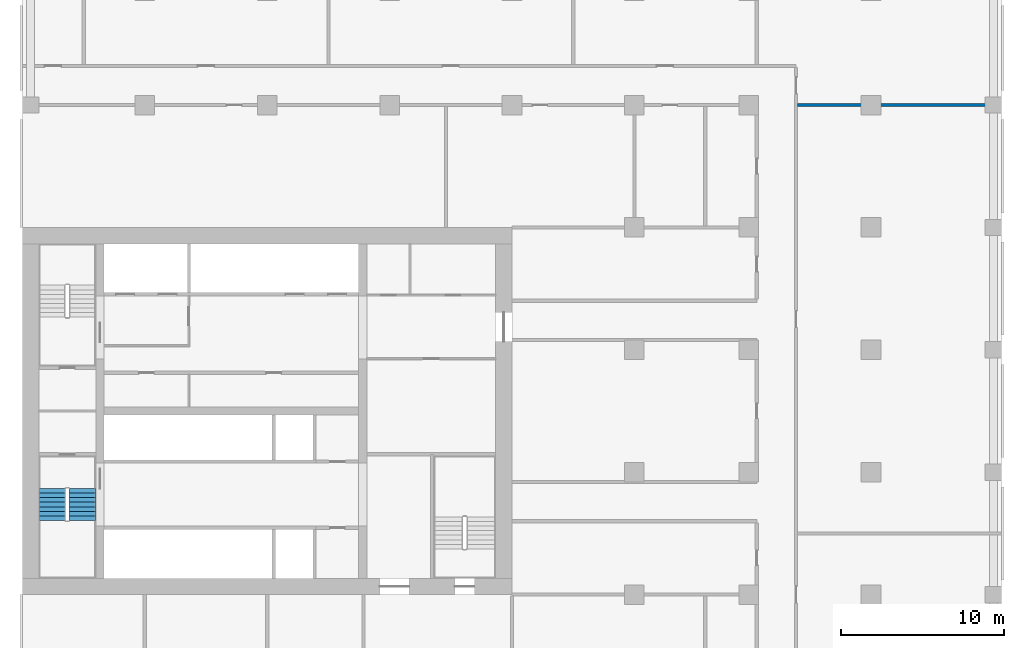
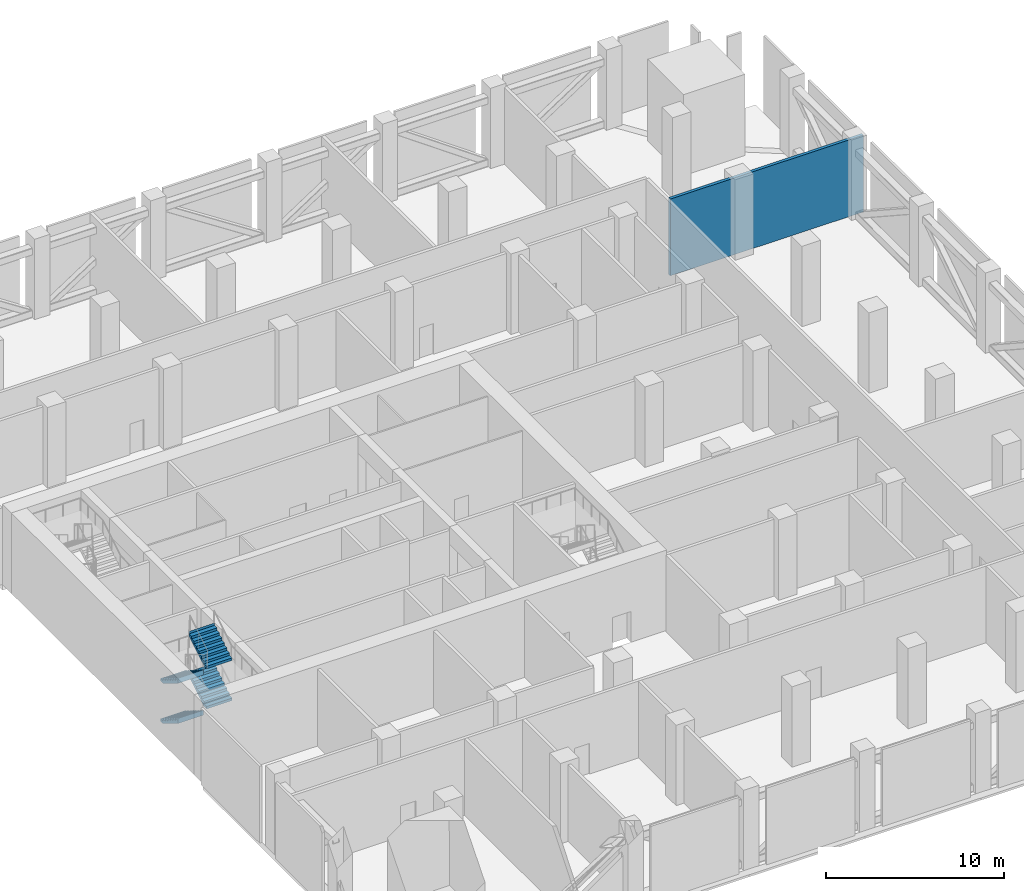
# One storey, part 6 of 10: 4 stair flights, 1 wall, 1 element without a shape of its own.
"""IFC4 building model written with IfcOpenShell, lengths in metres."""

from ifc_helpers import new_model, si_unit, direction, frame, frame_2d, origin, place, context, subcontext, project, spatial, polyline, rectangle, outline, extrude, material, layer, layer_set, type_object, element, aggregate, save


model = new_model("IFC4")

# Units and contexts
model_context = context("Model", 3, precision=1e-05, world=origin(), true_north=direction((0.0, 1.0)))
body_context = subcontext(model_context, "Body", "Model", "MODEL_VIEW")
ifc_project = project(units=[si_unit("LENGTHUNIT", "METRE"), si_unit("AREAUNIT", "SQUARE_METRE"), si_unit("VOLUMEUNIT", "CUBIC_METRE"), si_unit("PLANEANGLEUNIT", "RADIAN"), si_unit("MASSUNIT", "GRAM", prefix="KILO")], contexts=[model_context])

# Site, building, storey
site_placement = place(None, origin())
site = spatial("IfcSite", under=ifc_project, at=site_placement, CompositionType="ELEMENT")
building_placement = place(site_placement, origin())
building = spatial("IfcBuilding", under=site, at=building_placement, Name="Tamorin Gate", CompositionType="ELEMENT")
storey_placement = place(building_placement, frame((0.0, 0.0, 73.60009765625)))
storey = spatial("IfcBuildingStorey", under=building, at=storey_placement, Name="L17", CompositionType="ELEMENT", Elevation=73.60009765625)

# Wall
ifc_material_1 = material(Name="Gypsum board partition")
ifc_layer = layer(ifc_material_1, 0.199951171875)
ifc_layer_set = layer_set([ifc_layer], Name="Plant and refuge wall 200")
wall_type = type_object("IfcWallType", Name="Plant and refuge wall 200", PredefinedType="PARTITIONING", material=ifc_layer_set)
wall_placement = place(storey_placement, frame((77.5, 90.0, 0.0), z_axis=(0.0, 0.0, 1.0), x_axis=(1.0, 0.0, 0.0)))
element("IfcWall", 1, at=wall_placement, inside=storey, type_object=wall_type, Name="Plant and refuge wall 200", PredefinedType="PARTITIONING", context=body_context, shape_type="SweptSolid", body=[
    extrude(rectangle(XDim=12.5, YDim=0.199951171875, at=frame_2d((6.25, 0.0))), origin(), (0.0, 0.0, 1.0), 5.25),
])

# Stair, stair flights
ifc_material_2 = material(Name="Concrete C40/50", Category="concrete")
stair_type = type_object("IfcStairType", Name="Exit stair", PredefinedType="HALF_TURN_STAIR", material=ifc_material_2)
stair_placement = place(storey_placement, origin())
stair = element("IfcStair", 2, at=stair_placement, inside=storey, type_object=stair_type, Name="L17 stair ST1", PredefinedType="HALF_TURN_STAIR")
stair_flight_type = type_object("IfcStairFlightType", Name="Exit stair flight", PredefinedType="STRAIGHT", material=ifc_material_2)
stair_flight_1_placement = place(storey_placement, frame((31.824951171875, 66.5, 0.0), z_axis=(0.0, 0.0, 1.0), x_axis=(0.0, -1.0, 0.0)))
stair_flight_1 = element("IfcStairFlight", 3, at=stair_flight_1_placement, type_object=stair_flight_type, Name="ST1 flight 1", NumberOfRisers=8, NumberOfTreads=7, PredefinedType="STRAIGHT", RiserHeight=0.171875, TreadLength=0.28, context=body_context, shape_type="SweptSolid", body=[
    extrude(outline(polyline([(-0.00048828125, 0.0), (-0.00048828125, 0.001708984375), (-0.00048828125, 0.00341796875), (-0.00048828125, 0.005126953125), (-0.00048828125, 0.0068359375), (-0.00048828125, 0.008544921875), (-0.00048828125, 0.01025390625), (-0.00048828125, 0.011962890625), (-0.00048828125, 0.013671875), (-0.00048828125, 0.015380859375), (-0.00048828125, 0.01708984375), (-0.00048828125, 0.018798828125), (-0.00048828125, 0.0205078125), (-0.00048828125, 0.022216796875), (-0.00048828125, 0.02392578125), (-0.00048828125, 0.025634765625), (-0.00048828125, 0.02734375), (-0.00048828125, 0.02880859375), (-0.00048828125, 0.030517578125), (-0.00048828125, 0.0322265625), (-0.00048828125, 0.033935546875), (-0.00048828125, 0.03564453125), (-0.00048828125, 0.037353515625), (-0.00048828125, 0.0390625), (-0.00048828125, 0.040771484375), (-0.00048828125, 0.04248046875), (-0.00048828125, 0.044189453125), (-0.00048828125, 0.0458984375), (-0.00048828125, 0.047607421875), (-0.00048828125, 0.04931640625), (-0.00048828125, 0.051025390625), (-0.00048828125, 0.052734375), (-0.00048828125, 0.054443359375), (-0.00048828125, 0.05615234375), (-0.00048828125, 0.057861328125), (-0.00048828125, 0.0595703125), (-0.00048828125, 0.061279296875), (-0.00048828125, 0.06298828125), (-0.00048828125, 0.064697265625), (-0.00048828125, 0.06640625), (-0.00048828125, 0.068115234375), (-0.00048828125, 0.06982421875), (-0.00048828125, 0.071533203125), (-0.00048828125, 0.0732421875), (-0.00048828125, 0.074951171875), (-0.00048828125, 0.07666015625), (-0.00048828125, 0.078369140625), (-0.00048828125, 0.080078125), (-0.00048828125, 0.081787109375), (-0.00048828125, 0.08349609375), (-0.00048828125, 0.085205078125), (-0.00048828125, 0.086669921875), (-0.00048828125, 0.08837890625), (-0.00048828125, 0.090087890625), (-0.00048828125, 0.091796875), (-0.00048828125, 0.093505859375), (-0.00048828125, 0.09521484375), (-0.00048828125, 0.096923828125), (-0.00048828125, 0.0986328125), (-0.00048828125, 0.100341796875), (-0.00048828125, 0.10205078125), (-0.00048828125, 0.103759765625), (-0.00048828125, 0.10546875), (-0.00048828125, 0.107177734375), (-0.00048828125, 0.10888671875), (-0.00048828125, 0.110595703125), (-0.00048828125, 0.1123046875), (-0.00048828125, 0.114013671875), (-0.00048828125, 0.11572265625), (-0.00048828125, 0.117431640625), (-0.00048828125, 0.119140625), (-0.00048828125, 0.120849609375), (-0.00048828125, 0.12255859375), (-0.00048828125, 0.124267578125), (-0.00048828125, 0.1259765625), (-0.00048828125, 0.127685546875), (-0.00048828125, 0.12939453125), (-0.00048828125, 0.131103515625), (-0.00048828125, 0.1328125), (-0.00048828125, 0.134521484375), (-0.00048828125, 0.13623046875), (-0.00048828125, 0.137939453125), (-0.00048828125, 0.1396484375), (-0.00048828125, 0.141357421875), (-0.00048828125, 0.14306640625), (-0.00048828125, 0.14453125), (-0.00048828125, 0.146240234375), (-0.00048828125, 0.14794921875), (-0.00048828125, 0.149658203125), (-0.00048828125, 0.1513671875), (-0.00048828125, 0.153076171875), (-0.00048828125, 0.15478515625), (-0.00048828125, 0.156494140625), (-0.00048828125, 0.158203125), (-0.00048828125, 0.159912109375), (-0.00048828125, 0.16162109375), (-0.00048828125, 0.163330078125), (-0.00048828125, 0.1650390625), (-0.00048828125, 0.166748046875), (-0.00048828125, 0.16845703125), (-0.00048828125, 0.170166015625), (-0.00048828125, 0.171875), (0.280029296875, 0.171875), (0.280029296875, 0.34375), (0.56005859375, 0.34375), (0.56005859375, 0.515625), (0.840087890625, 0.515625), (0.840087890625, 0.6875), (1.1201171875, 0.6875), (1.1201171875, 0.859375), (1.39990234375, 0.859375), (1.39990234375, 1.03125), (1.679931640625, 1.03125), (1.679931640625, 1.203125), (1.9599609375, 1.203125), (1.9599609375, 1.375), (1.96044921875, 1.375), (1.96044921875, 1.37158203125), (1.96044921875, 1.3681640625), (1.96044921875, 1.36474609375), (1.96044921875, 1.361328125), (1.96044921875, 1.357666015625), (1.96044921875, 1.354248046875), (1.96044921875, 1.350830078125), (1.96044921875, 1.347412109375), (1.96044921875, 1.343994140625), (1.96044921875, 1.340576171875), (1.96044921875, 1.337158203125), (1.96044921875, 1.333740234375), (1.96044921875, 1.330322265625), (1.96044921875, 1.326904296875), (1.96044921875, 1.3232421875), (1.96044921875, 1.31982421875), (1.96044921875, 1.31640625), (1.96044921875, 1.31298828125), (1.96044921875, 1.3095703125), (1.96044921875, 1.30615234375), (1.96044921875, 1.302734375), (1.96044921875, 1.29931640625), (1.96044921875, 1.2958984375), (1.96044921875, 1.29248046875), (1.96044921875, 1.288818359375), (1.96044921875, 1.285400390625), (1.96044921875, 1.281982421875), (1.96044921875, 1.278564453125), (1.96044921875, 1.275146484375), (1.96044921875, 1.271728515625), (1.96044921875, 1.268310546875), (1.96044921875, 1.264892578125), (1.96044921875, 1.261474609375), (1.96044921875, 1.2578125), (1.96044921875, 1.25439453125), (1.96044921875, 1.2509765625), (1.96044921875, 1.24755859375), (1.96044921875, 1.244140625), (1.96044921875, 1.24072265625), (1.96044921875, 1.2373046875), (1.96044921875, 1.23388671875), (1.96044921875, 1.23046875), (1.96044921875, 1.22705078125), (1.96044921875, 1.223388671875), (1.96044921875, 1.219970703125), (1.96044921875, 1.216552734375), (1.96044921875, 1.213134765625), (1.96044921875, 1.209716796875), (1.96044921875, 1.206298828125), (1.96044921875, 1.202880859375), (1.96044921875, 1.199462890625), (1.96044921875, 1.196044921875), (1.96044921875, 1.192626953125), (1.96044921875, 1.18896484375), (1.96044921875, 1.185546875), (1.96044921875, 1.18212890625), (1.96044921875, 1.1787109375), (1.96044921875, 1.17529296875), (1.96044921875, 1.171875), (1.96044921875, 1.16845703125), (1.96044921875, 1.1650390625), (1.96044921875, 1.16162109375), (1.96044921875, 1.157958984375), (1.96044921875, 1.154541015625), (1.96044921875, 1.151123046875), (1.96044921875, 1.147705078125), (1.96044921875, 1.144287109375), (1.96044921875, 1.140869140625), (1.96044921875, 1.137451171875), (1.96044921875, 1.134033203125), (1.96044921875, 1.130615234375), (1.96044921875, 1.127197265625), (1.96044921875, 1.12353515625), (1.96044921875, 1.1201171875), (1.96044921875, 1.11669921875), (1.96044921875, 1.11328125), (1.96044921875, 1.10986328125), (1.96044921875, 1.1064453125), (1.96044921875, 1.10302734375), (1.96044921875, 1.099609375), (1.96044921875, 1.09619140625), (1.96044921875, 1.0927734375), (1.96044921875, 1.089111328125), (1.96044921875, 1.085693359375), (1.96044921875, 1.082275390625), (1.96044921875, 1.078857421875), (1.96044921875, 1.075439453125), (1.96044921875, 1.072021484375), (1.96044921875, 1.068603515625), (1.96044921875, 1.065185546875), (1.96044921875, 1.061767578125), (1.96044921875, 1.05810546875), (1.96044921875, 1.0546875), (1.96044921875, 1.05126953125), (1.96044921875, 1.0478515625), (1.96044921875, 1.04443359375), (1.96044921875, 1.041015625), (1.96044921875, 1.03759765625), (1.96044921875, 1.0341796875), (1.96044921875, 1.03076171875), (1.96044921875, 1.02734375), (1.9599609375, 1.02734375), (0.28662109375, 0.0), (-0.00048828125, 0.0)])), frame((0.0, 0.824951171875, 0.0), z_axis=(0.0, -1.0, 0.0), x_axis=(1.0, 0.0, 0.0)), (0.0, 0.0, 1.0), 1.64990234375),
])
stair_flight_2_placement = place(storey_placement, frame((33.675048828125, 64.5400390625, 1.375), z_axis=(0.0, 0.0, 1.0), x_axis=(0.0, 1.0, 0.0)))
stair_flight_2 = element("IfcStairFlight", 4, at=stair_flight_2_placement, type_object=stair_flight_type, Name="ST1 flight 2", NumberOfRisers=8, NumberOfTreads=7, PredefinedType="STRAIGHT", RiserHeight=0.171875, TreadLength=0.28, context=body_context, shape_type="SweptSolid", body=[
    extrude(outline(polyline([(-0.00048828125, 0.0), (-0.00048828125, 0.001708984375), (-0.00048828125, 0.00341796875), (-0.00048828125, 0.005126953125), (-0.00048828125, 0.0068359375), (-0.00048828125, 0.008544921875), (-0.00048828125, 0.01025390625), (-0.00048828125, 0.011962890625), (-0.00048828125, 0.013671875), (-0.00048828125, 0.015380859375), (-0.00048828125, 0.01708984375), (-0.00048828125, 0.018798828125), (-0.00048828125, 0.0205078125), (-0.00048828125, 0.022216796875), (-0.00048828125, 0.02392578125), (-0.00048828125, 0.025634765625), (-0.00048828125, 0.02734375), (-0.00048828125, 0.02880859375), (-0.00048828125, 0.030517578125), (-0.00048828125, 0.0322265625), (-0.00048828125, 0.033935546875), (-0.00048828125, 0.03564453125), (-0.00048828125, 0.037353515625), (-0.00048828125, 0.0390625), (-0.00048828125, 0.040771484375), (-0.00048828125, 0.04248046875), (-0.00048828125, 0.044189453125), (-0.00048828125, 0.0458984375), (-0.00048828125, 0.047607421875), (-0.00048828125, 0.04931640625), (-0.00048828125, 0.051025390625), (-0.00048828125, 0.052734375), (-0.00048828125, 0.054443359375), (-0.00048828125, 0.05615234375), (-0.00048828125, 0.057861328125), (-0.00048828125, 0.0595703125), (-0.00048828125, 0.061279296875), (-0.00048828125, 0.06298828125), (-0.00048828125, 0.064697265625), (-0.00048828125, 0.06640625), (-0.00048828125, 0.068115234375), (-0.00048828125, 0.06982421875), (-0.00048828125, 0.071533203125), (-0.00048828125, 0.0732421875), (-0.00048828125, 0.074951171875), (-0.00048828125, 0.07666015625), (-0.00048828125, 0.078369140625), (-0.00048828125, 0.080078125), (-0.00048828125, 0.081787109375), (-0.00048828125, 0.08349609375), (-0.00048828125, 0.085205078125), (-0.00048828125, 0.086669921875), (-0.00048828125, 0.08837890625), (-0.00048828125, 0.090087890625), (-0.00048828125, 0.091796875), (-0.00048828125, 0.093505859375), (-0.00048828125, 0.09521484375), (-0.00048828125, 0.096923828125), (-0.00048828125, 0.0986328125), (-0.00048828125, 0.100341796875), (-0.00048828125, 0.10205078125), (-0.00048828125, 0.103759765625), (-0.00048828125, 0.10546875), (-0.00048828125, 0.107177734375), (-0.00048828125, 0.10888671875), (-0.00048828125, 0.110595703125), (-0.00048828125, 0.1123046875), (-0.00048828125, 0.114013671875), (-0.00048828125, 0.11572265625), (-0.00048828125, 0.117431640625), (-0.00048828125, 0.119140625), (-0.00048828125, 0.120849609375), (-0.00048828125, 0.12255859375), (-0.00048828125, 0.124267578125), (-0.00048828125, 0.1259765625), (-0.00048828125, 0.127685546875), (-0.00048828125, 0.12939453125), (-0.00048828125, 0.131103515625), (-0.00048828125, 0.1328125), (-0.00048828125, 0.134521484375), (-0.00048828125, 0.13623046875), (-0.00048828125, 0.137939453125), (-0.00048828125, 0.1396484375), (-0.00048828125, 0.141357421875), (-0.00048828125, 0.14306640625), (-0.00048828125, 0.14453125), (-0.00048828125, 0.146240234375), (-0.00048828125, 0.14794921875), (-0.00048828125, 0.149658203125), (-0.00048828125, 0.1513671875), (-0.00048828125, 0.153076171875), (-0.00048828125, 0.15478515625), (-0.00048828125, 0.156494140625), (-0.00048828125, 0.158203125), (-0.00048828125, 0.159912109375), (-0.00048828125, 0.16162109375), (-0.00048828125, 0.163330078125), (-0.00048828125, 0.1650390625), (-0.00048828125, 0.166748046875), (-0.00048828125, 0.16845703125), (-0.00048828125, 0.170166015625), (-0.00048828125, 0.171875), (0.280029296875, 0.171875), (0.280029296875, 0.34375), (0.56005859375, 0.34375), (0.56005859375, 0.515625), (0.840087890625, 0.515625), (0.840087890625, 0.6875), (1.1201171875, 0.6875), (1.1201171875, 0.859375), (1.39990234375, 0.859375), (1.39990234375, 1.03125), (1.679931640625, 1.03125), (1.679931640625, 1.203125), (1.9599609375, 1.203125), (1.9599609375, 1.375), (1.96044921875, 1.375), (1.96044921875, 1.37158203125), (1.96044921875, 1.3681640625), (1.96044921875, 1.36474609375), (1.96044921875, 1.361328125), (1.96044921875, 1.357666015625), (1.96044921875, 1.354248046875), (1.96044921875, 1.350830078125), (1.96044921875, 1.347412109375), (1.96044921875, 1.343994140625), (1.96044921875, 1.340576171875), (1.96044921875, 1.337158203125), (1.96044921875, 1.333740234375), (1.96044921875, 1.330322265625), (1.96044921875, 1.326904296875), (1.96044921875, 1.3232421875), (1.96044921875, 1.31982421875), (1.96044921875, 1.31640625), (1.96044921875, 1.31298828125), (1.96044921875, 1.3095703125), (1.96044921875, 1.30615234375), (1.96044921875, 1.302734375), (1.96044921875, 1.29931640625), (1.96044921875, 1.2958984375), (1.96044921875, 1.29248046875), (1.96044921875, 1.288818359375), (1.96044921875, 1.285400390625), (1.96044921875, 1.281982421875), (1.96044921875, 1.278564453125), (1.96044921875, 1.275146484375), (1.96044921875, 1.271728515625), (1.96044921875, 1.268310546875), (1.96044921875, 1.264892578125), (1.96044921875, 1.261474609375), (1.96044921875, 1.2578125), (1.96044921875, 1.25439453125), (1.96044921875, 1.2509765625), (1.96044921875, 1.24755859375), (1.96044921875, 1.244140625), (1.96044921875, 1.24072265625), (1.96044921875, 1.2373046875), (1.96044921875, 1.23388671875), (1.96044921875, 1.23046875), (1.96044921875, 1.22705078125), (1.96044921875, 1.223388671875), (1.96044921875, 1.219970703125), (1.96044921875, 1.216552734375), (1.96044921875, 1.213134765625), (1.96044921875, 1.209716796875), (1.96044921875, 1.206298828125), (1.96044921875, 1.202880859375), (1.96044921875, 1.199462890625), (1.96044921875, 1.196044921875), (1.96044921875, 1.192626953125), (1.96044921875, 1.18896484375), (1.96044921875, 1.185546875), (1.96044921875, 1.18212890625), (1.96044921875, 1.1787109375), (1.96044921875, 1.17529296875), (1.96044921875, 1.171875), (1.96044921875, 1.16845703125), (1.96044921875, 1.1650390625), (1.96044921875, 1.16162109375), (1.96044921875, 1.157958984375), (1.96044921875, 1.154541015625), (1.96044921875, 1.151123046875), (1.96044921875, 1.147705078125), (1.96044921875, 1.144287109375), (1.96044921875, 1.140869140625), (1.96044921875, 1.137451171875), (1.96044921875, 1.134033203125), (1.96044921875, 1.130615234375), (1.96044921875, 1.127197265625), (1.96044921875, 1.12353515625), (1.96044921875, 1.1201171875), (1.96044921875, 1.11669921875), (1.96044921875, 1.11328125), (1.96044921875, 1.10986328125), (1.96044921875, 1.1064453125), (1.96044921875, 1.10302734375), (1.96044921875, 1.099609375), (1.96044921875, 1.09619140625), (1.96044921875, 1.0927734375), (1.96044921875, 1.089111328125), (1.96044921875, 1.085693359375), (1.96044921875, 1.082275390625), (1.96044921875, 1.078857421875), (1.96044921875, 1.075439453125), (1.96044921875, 1.072021484375), (1.96044921875, 1.068603515625), (1.96044921875, 1.065185546875), (1.96044921875, 1.061767578125), (1.96044921875, 1.05810546875), (1.96044921875, 1.0546875), (1.96044921875, 1.05126953125), (1.96044921875, 1.0478515625), (1.96044921875, 1.04443359375), (1.96044921875, 1.041015625), (1.96044921875, 1.03759765625), (1.96044921875, 1.0341796875), (1.96044921875, 1.03076171875), (1.96044921875, 1.02734375), (1.9599609375, 1.02734375), (0.28662109375, 0.0), (-0.00048828125, 0.0)])), frame((0.0, 0.824951171875, 0.0), z_axis=(0.0, -1.0, 0.0), x_axis=(1.0, 0.0, 0.0)), (0.0, 0.0, 1.0), 1.64990234375),
])
stair_flight_3_placement = place(storey_placement, frame((31.824951171875, 66.5, 2.75), z_axis=(0.0, 0.0, 1.0), x_axis=(0.0, -1.0, 0.0)))
stair_flight_3 = element("IfcStairFlight", 5, at=stair_flight_3_placement, type_object=stair_flight_type, Name="ST1 flight 3", NumberOfRisers=8, NumberOfTreads=7, PredefinedType="STRAIGHT", RiserHeight=0.171875, TreadLength=0.28, context=body_context, shape_type="SweptSolid", body=[
    extrude(outline(polyline([(-0.00048828125, 0.0), (-0.00048828125, 0.001708984375), (-0.00048828125, 0.00341796875), (-0.00048828125, 0.005126953125), (-0.00048828125, 0.0068359375), (-0.00048828125, 0.008544921875), (-0.00048828125, 0.01025390625), (-0.00048828125, 0.011962890625), (-0.00048828125, 0.013671875), (-0.00048828125, 0.015380859375), (-0.00048828125, 0.01708984375), (-0.00048828125, 0.018798828125), (-0.00048828125, 0.0205078125), (-0.00048828125, 0.022216796875), (-0.00048828125, 0.02392578125), (-0.00048828125, 0.025634765625), (-0.00048828125, 0.02734375), (-0.00048828125, 0.02880859375), (-0.00048828125, 0.030517578125), (-0.00048828125, 0.0322265625), (-0.00048828125, 0.033935546875), (-0.00048828125, 0.03564453125), (-0.00048828125, 0.037353515625), (-0.00048828125, 0.0390625), (-0.00048828125, 0.040771484375), (-0.00048828125, 0.04248046875), (-0.00048828125, 0.044189453125), (-0.00048828125, 0.0458984375), (-0.00048828125, 0.047607421875), (-0.00048828125, 0.04931640625), (-0.00048828125, 0.051025390625), (-0.00048828125, 0.052734375), (-0.00048828125, 0.054443359375), (-0.00048828125, 0.05615234375), (-0.00048828125, 0.057861328125), (-0.00048828125, 0.0595703125), (-0.00048828125, 0.061279296875), (-0.00048828125, 0.06298828125), (-0.00048828125, 0.064697265625), (-0.00048828125, 0.06640625), (-0.00048828125, 0.068115234375), (-0.00048828125, 0.06982421875), (-0.00048828125, 0.071533203125), (-0.00048828125, 0.0732421875), (-0.00048828125, 0.074951171875), (-0.00048828125, 0.07666015625), (-0.00048828125, 0.078369140625), (-0.00048828125, 0.080078125), (-0.00048828125, 0.081787109375), (-0.00048828125, 0.08349609375), (-0.00048828125, 0.085205078125), (-0.00048828125, 0.086669921875), (-0.00048828125, 0.08837890625), (-0.00048828125, 0.090087890625), (-0.00048828125, 0.091796875), (-0.00048828125, 0.093505859375), (-0.00048828125, 0.09521484375), (-0.00048828125, 0.096923828125), (-0.00048828125, 0.0986328125), (-0.00048828125, 0.100341796875), (-0.00048828125, 0.10205078125), (-0.00048828125, 0.103759765625), (-0.00048828125, 0.10546875), (-0.00048828125, 0.107177734375), (-0.00048828125, 0.10888671875), (-0.00048828125, 0.110595703125), (-0.00048828125, 0.1123046875), (-0.00048828125, 0.114013671875), (-0.00048828125, 0.11572265625), (-0.00048828125, 0.117431640625), (-0.00048828125, 0.119140625), (-0.00048828125, 0.120849609375), (-0.00048828125, 0.12255859375), (-0.00048828125, 0.124267578125), (-0.00048828125, 0.1259765625), (-0.00048828125, 0.127685546875), (-0.00048828125, 0.12939453125), (-0.00048828125, 0.131103515625), (-0.00048828125, 0.1328125), (-0.00048828125, 0.134521484375), (-0.00048828125, 0.13623046875), (-0.00048828125, 0.137939453125), (-0.00048828125, 0.1396484375), (-0.00048828125, 0.141357421875), (-0.00048828125, 0.14306640625), (-0.00048828125, 0.14453125), (-0.00048828125, 0.146240234375), (-0.00048828125, 0.14794921875), (-0.00048828125, 0.149658203125), (-0.00048828125, 0.1513671875), (-0.00048828125, 0.153076171875), (-0.00048828125, 0.15478515625), (-0.00048828125, 0.156494140625), (-0.00048828125, 0.158203125), (-0.00048828125, 0.159912109375), (-0.00048828125, 0.16162109375), (-0.00048828125, 0.163330078125), (-0.00048828125, 0.1650390625), (-0.00048828125, 0.166748046875), (-0.00048828125, 0.16845703125), (-0.00048828125, 0.170166015625), (-0.00048828125, 0.171875), (0.280029296875, 0.171875), (0.280029296875, 0.34375), (0.56005859375, 0.34375), (0.56005859375, 0.515625), (0.840087890625, 0.515625), (0.840087890625, 0.6875), (1.1201171875, 0.6875), (1.1201171875, 0.859375), (1.39990234375, 0.859375), (1.39990234375, 1.03125), (1.679931640625, 1.03125), (1.679931640625, 1.203125), (1.9599609375, 1.203125), (1.9599609375, 1.375), (1.96044921875, 1.375), (1.96044921875, 1.37158203125), (1.96044921875, 1.3681640625), (1.96044921875, 1.36474609375), (1.96044921875, 1.361328125), (1.96044921875, 1.357666015625), (1.96044921875, 1.354248046875), (1.96044921875, 1.350830078125), (1.96044921875, 1.347412109375), (1.96044921875, 1.343994140625), (1.96044921875, 1.340576171875), (1.96044921875, 1.337158203125), (1.96044921875, 1.333740234375), (1.96044921875, 1.330322265625), (1.96044921875, 1.326904296875), (1.96044921875, 1.3232421875), (1.96044921875, 1.31982421875), (1.96044921875, 1.31640625), (1.96044921875, 1.31298828125), (1.96044921875, 1.3095703125), (1.96044921875, 1.30615234375), (1.96044921875, 1.302734375), (1.96044921875, 1.29931640625), (1.96044921875, 1.2958984375), (1.96044921875, 1.29248046875), (1.96044921875, 1.288818359375), (1.96044921875, 1.285400390625), (1.96044921875, 1.281982421875), (1.96044921875, 1.278564453125), (1.96044921875, 1.275146484375), (1.96044921875, 1.271728515625), (1.96044921875, 1.268310546875), (1.96044921875, 1.264892578125), (1.96044921875, 1.261474609375), (1.96044921875, 1.2578125), (1.96044921875, 1.25439453125), (1.96044921875, 1.2509765625), (1.96044921875, 1.24755859375), (1.96044921875, 1.244140625), (1.96044921875, 1.24072265625), (1.96044921875, 1.2373046875), (1.96044921875, 1.23388671875), (1.96044921875, 1.23046875), (1.96044921875, 1.22705078125), (1.96044921875, 1.223388671875), (1.96044921875, 1.219970703125), (1.96044921875, 1.216552734375), (1.96044921875, 1.213134765625), (1.96044921875, 1.209716796875), (1.96044921875, 1.206298828125), (1.96044921875, 1.202880859375), (1.96044921875, 1.199462890625), (1.96044921875, 1.196044921875), (1.96044921875, 1.192626953125), (1.96044921875, 1.18896484375), (1.96044921875, 1.185546875), (1.96044921875, 1.18212890625), (1.96044921875, 1.1787109375), (1.96044921875, 1.17529296875), (1.96044921875, 1.171875), (1.96044921875, 1.16845703125), (1.96044921875, 1.1650390625), (1.96044921875, 1.16162109375), (1.96044921875, 1.157958984375), (1.96044921875, 1.154541015625), (1.96044921875, 1.151123046875), (1.96044921875, 1.147705078125), (1.96044921875, 1.144287109375), (1.96044921875, 1.140869140625), (1.96044921875, 1.137451171875), (1.96044921875, 1.134033203125), (1.96044921875, 1.130615234375), (1.96044921875, 1.127197265625), (1.96044921875, 1.12353515625), (1.96044921875, 1.1201171875), (1.96044921875, 1.11669921875), (1.96044921875, 1.11328125), (1.96044921875, 1.10986328125), (1.96044921875, 1.1064453125), (1.96044921875, 1.10302734375), (1.96044921875, 1.099609375), (1.96044921875, 1.09619140625), (1.96044921875, 1.0927734375), (1.96044921875, 1.089111328125), (1.96044921875, 1.085693359375), (1.96044921875, 1.082275390625), (1.96044921875, 1.078857421875), (1.96044921875, 1.075439453125), (1.96044921875, 1.072021484375), (1.96044921875, 1.068603515625), (1.96044921875, 1.065185546875), (1.96044921875, 1.061767578125), (1.96044921875, 1.05810546875), (1.96044921875, 1.0546875), (1.96044921875, 1.05126953125), (1.96044921875, 1.0478515625), (1.96044921875, 1.04443359375), (1.96044921875, 1.041015625), (1.96044921875, 1.03759765625), (1.96044921875, 1.0341796875), (1.96044921875, 1.03076171875), (1.96044921875, 1.02734375), (1.9599609375, 1.02734375), (0.28662109375, 0.0), (-0.00048828125, 0.0)])), frame((0.0, 0.824951171875, 0.0), z_axis=(0.0, -1.0, 0.0), x_axis=(1.0, 0.0, 0.0)), (0.0, 0.0, 1.0), 1.64990234375),
])
stair_flight_4_placement = place(storey_placement, frame((33.675048828125, 64.5400390625, 4.125), z_axis=(0.0, 0.0, 1.0), x_axis=(0.0, 1.0, 0.0)))
stair_flight_4 = element("IfcStairFlight", 6, at=stair_flight_4_placement, type_object=stair_flight_type, Name="ST1 flight 4", NumberOfRisers=8, NumberOfTreads=7, PredefinedType="STRAIGHT", RiserHeight=0.171875, TreadLength=0.28, context=body_context, shape_type="SweptSolid", body=[
    extrude(outline(polyline([(-0.00048828125, 0.0), (-0.00048828125, 0.001708984375), (-0.00048828125, 0.00341796875), (-0.00048828125, 0.005126953125), (-0.00048828125, 0.0068359375), (-0.00048828125, 0.008544921875), (-0.00048828125, 0.01025390625), (-0.00048828125, 0.011962890625), (-0.00048828125, 0.013671875), (-0.00048828125, 0.015380859375), (-0.00048828125, 0.01708984375), (-0.00048828125, 0.018798828125), (-0.00048828125, 0.0205078125), (-0.00048828125, 0.022216796875), (-0.00048828125, 0.02392578125), (-0.00048828125, 0.025634765625), (-0.00048828125, 0.02734375), (-0.00048828125, 0.02880859375), (-0.00048828125, 0.030517578125), (-0.00048828125, 0.0322265625), (-0.00048828125, 0.033935546875), (-0.00048828125, 0.03564453125), (-0.00048828125, 0.037353515625), (-0.00048828125, 0.0390625), (-0.00048828125, 0.040771484375), (-0.00048828125, 0.04248046875), (-0.00048828125, 0.044189453125), (-0.00048828125, 0.0458984375), (-0.00048828125, 0.047607421875), (-0.00048828125, 0.04931640625), (-0.00048828125, 0.051025390625), (-0.00048828125, 0.052734375), (-0.00048828125, 0.054443359375), (-0.00048828125, 0.05615234375), (-0.00048828125, 0.057861328125), (-0.00048828125, 0.0595703125), (-0.00048828125, 0.061279296875), (-0.00048828125, 0.06298828125), (-0.00048828125, 0.064697265625), (-0.00048828125, 0.06640625), (-0.00048828125, 0.068115234375), (-0.00048828125, 0.06982421875), (-0.00048828125, 0.071533203125), (-0.00048828125, 0.0732421875), (-0.00048828125, 0.074951171875), (-0.00048828125, 0.07666015625), (-0.00048828125, 0.078369140625), (-0.00048828125, 0.080078125), (-0.00048828125, 0.081787109375), (-0.00048828125, 0.08349609375), (-0.00048828125, 0.085205078125), (-0.00048828125, 0.086669921875), (-0.00048828125, 0.08837890625), (-0.00048828125, 0.090087890625), (-0.00048828125, 0.091796875), (-0.00048828125, 0.093505859375), (-0.00048828125, 0.09521484375), (-0.00048828125, 0.096923828125), (-0.00048828125, 0.0986328125), (-0.00048828125, 0.100341796875), (-0.00048828125, 0.10205078125), (-0.00048828125, 0.103759765625), (-0.00048828125, 0.10546875), (-0.00048828125, 0.107177734375), (-0.00048828125, 0.10888671875), (-0.00048828125, 0.110595703125), (-0.00048828125, 0.1123046875), (-0.00048828125, 0.114013671875), (-0.00048828125, 0.11572265625), (-0.00048828125, 0.117431640625), (-0.00048828125, 0.119140625), (-0.00048828125, 0.120849609375), (-0.00048828125, 0.12255859375), (-0.00048828125, 0.124267578125), (-0.00048828125, 0.1259765625), (-0.00048828125, 0.127685546875), (-0.00048828125, 0.12939453125), (-0.00048828125, 0.131103515625), (-0.00048828125, 0.1328125), (-0.00048828125, 0.134521484375), (-0.00048828125, 0.13623046875), (-0.00048828125, 0.137939453125), (-0.00048828125, 0.1396484375), (-0.00048828125, 0.141357421875), (-0.00048828125, 0.14306640625), (-0.00048828125, 0.14453125), (-0.00048828125, 0.146240234375), (-0.00048828125, 0.14794921875), (-0.00048828125, 0.149658203125), (-0.00048828125, 0.1513671875), (-0.00048828125, 0.153076171875), (-0.00048828125, 0.15478515625), (-0.00048828125, 0.156494140625), (-0.00048828125, 0.158203125), (-0.00048828125, 0.159912109375), (-0.00048828125, 0.16162109375), (-0.00048828125, 0.163330078125), (-0.00048828125, 0.1650390625), (-0.00048828125, 0.166748046875), (-0.00048828125, 0.16845703125), (-0.00048828125, 0.170166015625), (-0.00048828125, 0.171875), (0.280029296875, 0.171875), (0.280029296875, 0.34375), (0.56005859375, 0.34375), (0.56005859375, 0.515625), (0.840087890625, 0.515625), (0.840087890625, 0.6875), (1.1201171875, 0.6875), (1.1201171875, 0.859375), (1.39990234375, 0.859375), (1.39990234375, 1.03125), (1.679931640625, 1.03125), (1.679931640625, 1.203125), (1.9599609375, 1.203125), (1.9599609375, 1.375), (1.96044921875, 1.375), (1.96044921875, 1.37158203125), (1.96044921875, 1.3681640625), (1.96044921875, 1.36474609375), (1.96044921875, 1.361328125), (1.96044921875, 1.357666015625), (1.96044921875, 1.354248046875), (1.96044921875, 1.350830078125), (1.96044921875, 1.347412109375), (1.96044921875, 1.343994140625), (1.96044921875, 1.340576171875), (1.96044921875, 1.337158203125), (1.96044921875, 1.333740234375), (1.96044921875, 1.330322265625), (1.96044921875, 1.326904296875), (1.96044921875, 1.3232421875), (1.96044921875, 1.31982421875), (1.96044921875, 1.31640625), (1.96044921875, 1.31298828125), (1.96044921875, 1.3095703125), (1.96044921875, 1.30615234375), (1.96044921875, 1.302734375), (1.96044921875, 1.29931640625), (1.96044921875, 1.2958984375), (1.96044921875, 1.29248046875), (1.96044921875, 1.288818359375), (1.96044921875, 1.285400390625), (1.96044921875, 1.281982421875), (1.96044921875, 1.278564453125), (1.96044921875, 1.275146484375), (1.96044921875, 1.271728515625), (1.96044921875, 1.268310546875), (1.96044921875, 1.264892578125), (1.96044921875, 1.261474609375), (1.96044921875, 1.2578125), (1.96044921875, 1.25439453125), (1.96044921875, 1.2509765625), (1.96044921875, 1.24755859375), (1.96044921875, 1.244140625), (1.96044921875, 1.24072265625), (1.96044921875, 1.2373046875), (1.96044921875, 1.23388671875), (1.96044921875, 1.23046875), (1.96044921875, 1.22705078125), (1.96044921875, 1.223388671875), (1.96044921875, 1.219970703125), (1.96044921875, 1.216552734375), (1.96044921875, 1.213134765625), (1.96044921875, 1.209716796875), (1.96044921875, 1.206298828125), (1.96044921875, 1.202880859375), (1.96044921875, 1.199462890625), (1.96044921875, 1.196044921875), (1.96044921875, 1.192626953125), (1.96044921875, 1.18896484375), (1.96044921875, 1.185546875), (1.96044921875, 1.18212890625), (1.96044921875, 1.1787109375), (1.96044921875, 1.17529296875), (1.96044921875, 1.171875), (1.96044921875, 1.16845703125), (1.96044921875, 1.1650390625), (1.96044921875, 1.16162109375), (1.96044921875, 1.157958984375), (1.96044921875, 1.154541015625), (1.96044921875, 1.151123046875), (1.96044921875, 1.147705078125), (1.96044921875, 1.144287109375), (1.96044921875, 1.140869140625), (1.96044921875, 1.137451171875), (1.96044921875, 1.134033203125), (1.96044921875, 1.130615234375), (1.96044921875, 1.127197265625), (1.96044921875, 1.12353515625), (1.96044921875, 1.1201171875), (1.96044921875, 1.11669921875), (1.96044921875, 1.11328125), (1.96044921875, 1.10986328125), (1.96044921875, 1.1064453125), (1.96044921875, 1.10302734375), (1.96044921875, 1.099609375), (1.96044921875, 1.09619140625), (1.96044921875, 1.0927734375), (1.96044921875, 1.089111328125), (1.96044921875, 1.085693359375), (1.96044921875, 1.082275390625), (1.96044921875, 1.078857421875), (1.96044921875, 1.075439453125), (1.96044921875, 1.072021484375), (1.96044921875, 1.068603515625), (1.96044921875, 1.065185546875), (1.96044921875, 1.061767578125), (1.96044921875, 1.05810546875), (1.96044921875, 1.0546875), (1.96044921875, 1.05126953125), (1.96044921875, 1.0478515625), (1.96044921875, 1.04443359375), (1.96044921875, 1.041015625), (1.96044921875, 1.03759765625), (1.96044921875, 1.0341796875), (1.96044921875, 1.03076171875), (1.96044921875, 1.02734375), (1.9599609375, 1.02734375), (0.28662109375, 0.0), (-0.00048828125, 0.0)])), frame((0.0, 0.824951171875, 0.0), z_axis=(0.0, -1.0, 0.0), x_axis=(1.0, 0.0, 0.0)), (0.0, 0.0, 1.0), 1.64990234375),
])
aggregate(stair, [stair_flight_1, stair_flight_2, stair_flight_3, stair_flight_4])

save(model, "model.ifc")
